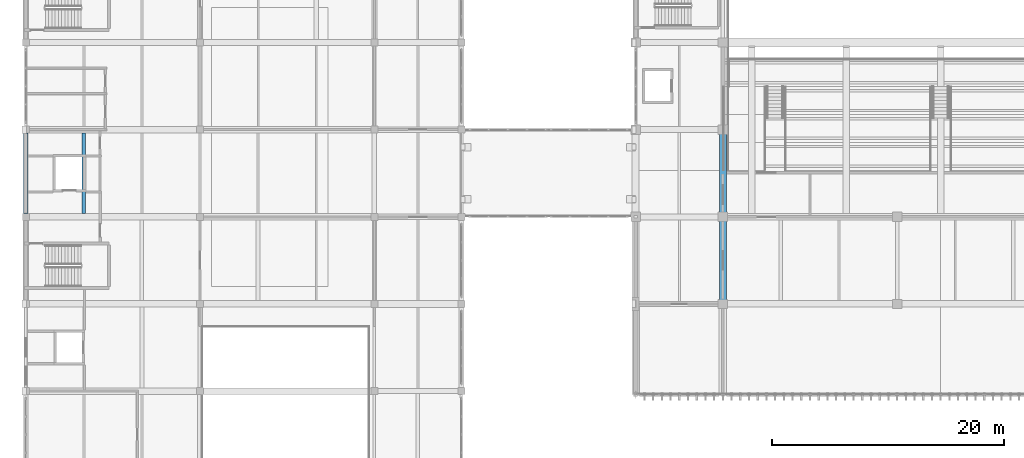
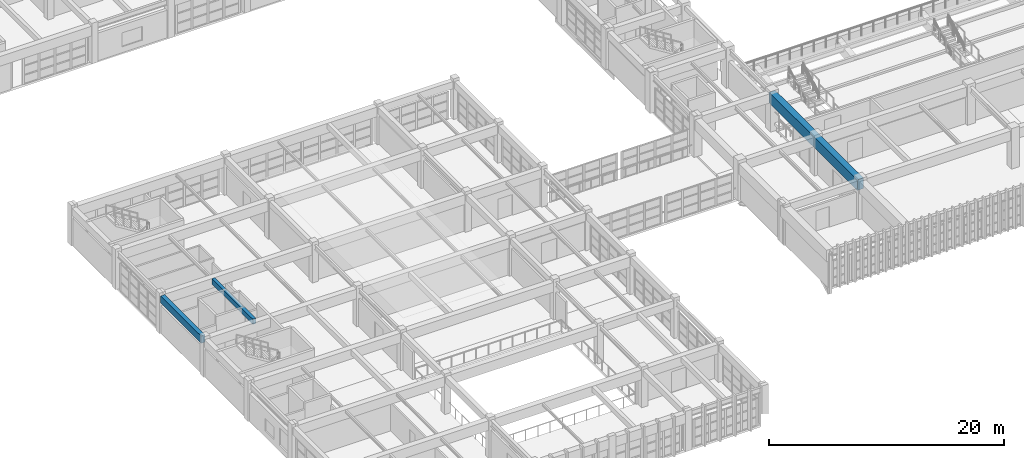
# One storey, part 14 of 124: 3 beams.
"""IFC4 building model written with IfcOpenShell, lengths in metres."""

from ifc_helpers import new_model, si_unit, direction, frame, origin, origin_2d, place, context, subcontext, project, spatial, rectangle, extrude, material, material_profile, profile_set, type_object, element, save


model = new_model("IFC4")

# Units and contexts
model_context = context("Model", 3, precision=1e-05, world=origin(), true_north=direction((0.0, 1.0)))
body_context = subcontext(model_context, "Body", "Model", "MODEL_VIEW")
ifc_project = project(units=[si_unit("LENGTHUNIT", "METRE"), si_unit("AREAUNIT", "SQUARE_METRE"), si_unit("VOLUMEUNIT", "CUBIC_METRE"), si_unit("PLANEANGLEUNIT", "RADIAN"), si_unit("MASSUNIT", "GRAM", prefix="KILO")], contexts=[model_context])

# Site, building, storey
site_placement = place(None, origin())
site = spatial("IfcSite", under=ifc_project, at=site_placement, CompositionType="ELEMENT")
building_placement = place(site_placement, origin())
building = spatial("IfcBuilding", under=site, at=building_placement, Name="Qasida Concert Hall", CompositionType="ELEMENT")
storey_placement = place(building_placement, frame((0.0, 0.0, 9.0)))
storey = spatial("IfcBuildingStorey", under=building, at=storey_placement, Name="L02", CompositionType="ELEMENT", Elevation=9.0)

# Beams
ifc_material_1 = material(Name="Concrete C50/60", Category="concrete")
ifc_material_profile_1 = material_profile(ifc_material_1, rectangle(XDim=0.60009765625, YDim=1.10009765625, at=origin_2d()), Name="RC 600x1100")
ifc_profile_set_1 = profile_set([ifc_material_profile_1], Name="Concrete C50/60")
beam_type_1 = type_object("IfcBeamType", Name="BM-G4", PredefinedType="USERDEFINED", material=ifc_profile_set_1)
beam_1_placement = place(storey_placement, frame((60.0, 22.5, 3.320068359375), z_axis=(0.0, 1.0, 0.0), x_axis=(-1.0, 0.0, 0.0)))
element("IfcBeam", 1, at=beam_1_placement, inside=storey, type_object=beam_type_1, Name="Cantilever backspan girder CGB-009", ObjectType="GIRDER", PredefinedType="USERDEFINED", context=body_context, shape_type="SweptSolid", body=[
    extrude(rectangle(XDim=0.60009765625, YDim=1.10009765625, at=origin_2d()), origin(), (0.0, 0.0, 1.0), 15.0),
])
ifc_material_2 = material(Name="Concrete C40/50", Category="concrete")
ifc_material_profile_2 = material_profile(ifc_material_2, rectangle(XDim=0.300048828125, YDim=0.550048828125, at=origin_2d()), Name="RC 300x550")
ifc_profile_set_2 = profile_set([ifc_material_profile_2], Name="Concrete C40/50")
beam_type_2 = type_object("IfcBeamType", Name="BM-J1", PredefinedType="JOIST", material=ifc_profile_set_2)
beam_2_placement = place(storey_placement, frame((5.0, 30.27490234375, 3.625), z_axis=(0.0, 1.0, 0.0), x_axis=(-1.0, 0.0, 0.0)))
element("IfcBeam", 2, at=beam_2_placement, inside=storey, type_object=beam_type_2, Name="L02 secondary joist 1328", PredefinedType="JOIST", context=body_context, shape_type="SweptSolid", body=[
    extrude(rectangle(XDim=0.300048828125, YDim=0.550048828125, at=origin_2d()), origin(), (0.0, 0.0, 1.0), 6.9501953125),
])
ifc_material_profile_3 = material_profile(ifc_material_2, rectangle(XDim=0.39990234375, YDim=0.75, at=origin_2d()), Name="RC 400x750")
ifc_profile_set_3 = profile_set([ifc_material_profile_3], Name="Concrete C40/50")
beam_type_3 = type_object("IfcBeamType", Name="BM-SP1", PredefinedType="SPANDREL", material=ifc_profile_set_3)
beam_3_placement = place(storey_placement, frame((0.0, 30.300048828125, 3.52490234375), z_axis=(0.0, 1.0, 0.0), x_axis=(-1.0, 0.0, 0.0)))
element("IfcBeam", 3, at=beam_3_placement, inside=storey, type_object=beam_type_3, Name="L02 girder 1297", PredefinedType="SPANDREL", context=body_context, shape_type="SweptSolid", body=[
    extrude(rectangle(XDim=0.39990234375, YDim=0.75, at=origin_2d()), origin(), (0.0, 0.0, 1.0), 6.89990234375),
])

save(model, "model.ifc")
